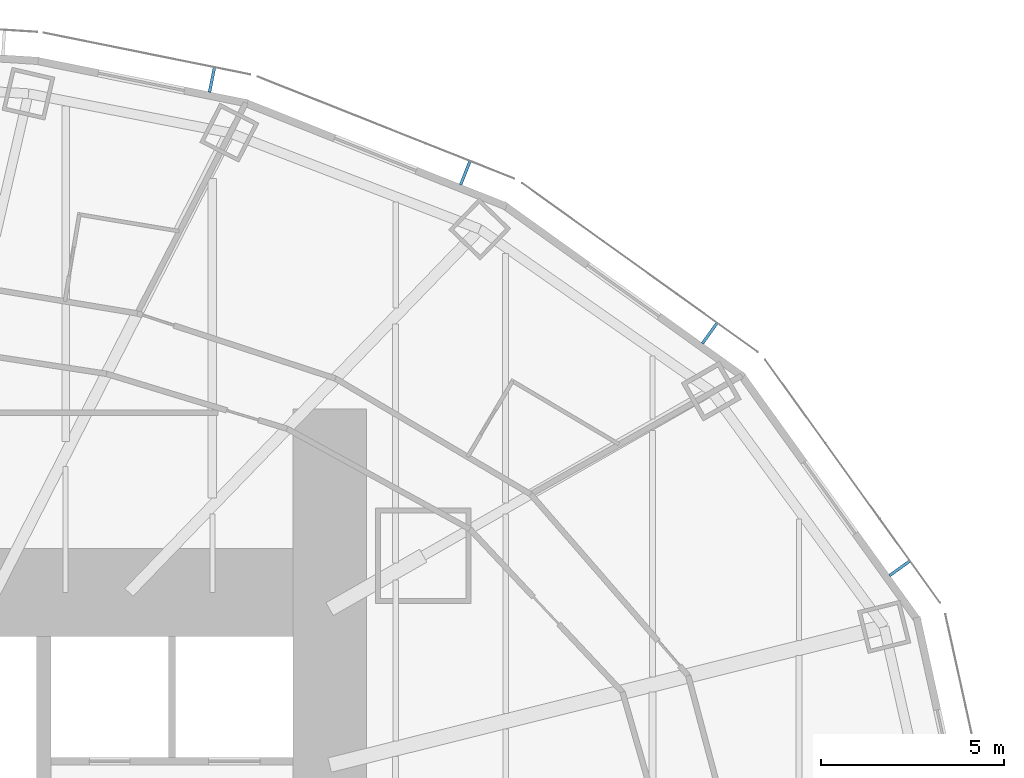
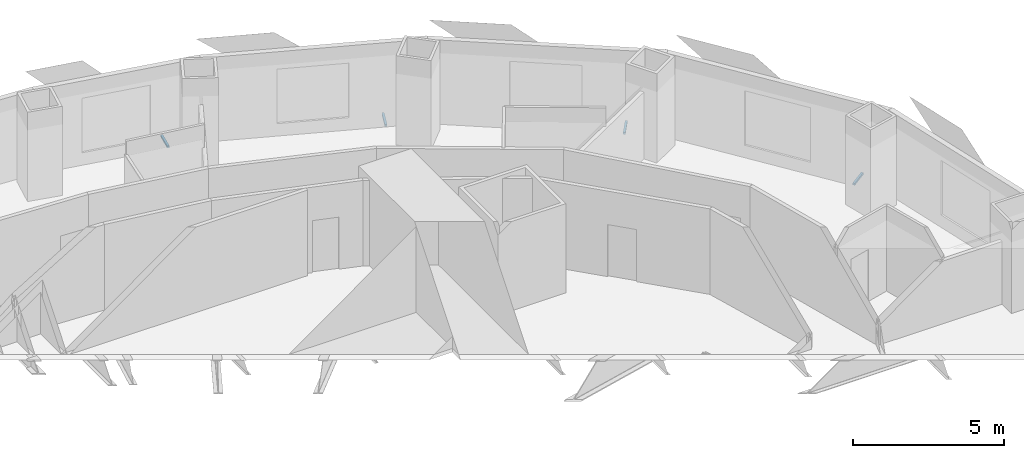
# One storey, part 12 of 15: 4 discrete accessories.
"""IFC4 building model written with IfcOpenShell, lengths in metres."""

from ifc_helpers import new_model, si_unit, direction, frame, origin, origin_2d, place, context, subcontext, project, spatial, rectangle, extrude, element, save


model = new_model("IFC4")

# Units and contexts
model_context = context("Model", 3, precision=1e-05, world=origin(), true_north=direction((0.0, 1.0)))
body_context = subcontext(model_context, "Body", "Model", "MODEL_VIEW")
ifc_project = project(units=[si_unit("LENGTHUNIT", "METRE"), si_unit("AREAUNIT", "SQUARE_METRE"), si_unit("VOLUMEUNIT", "CUBIC_METRE"), si_unit("PLANEANGLEUNIT", "RADIAN"), si_unit("MASSUNIT", "GRAM", prefix="KILO")], contexts=[model_context])

# Site, building, storey
site_placement = place(None, origin())
site = spatial("IfcSite", under=ifc_project, at=site_placement, CompositionType="ELEMENT")
building_placement = place(site_placement, origin())
building = spatial("IfcBuilding", under=site, at=building_placement, Name="Lantaw Convention Tower", CompositionType="ELEMENT")
storey_placement = place(building_placement, frame((0.0, 0.0, 65.800048828125)))
storey = spatial("IfcBuildingStorey", under=building, at=storey_placement, Name="L14", CompositionType="ELEMENT", Elevation=65.800048828125)

# Discrete accessories
for number, where, z_axis, x_axis, name in (
    (1, (28.745849609375, 8.65869140625, -0.114990234375), (0.0, 0.0, 1.0), (-0.583951250436, 0.811788726895, 0.0), "Screen bracket"),
    (2, (23.564453125, 15.06640625, -0.114990234375), (0.0, 0.0, 1.0), (-0.812803733199, 0.5825376308, 0.0), "Screen bracket"),
    (3, (16.898193359375, 19.4345703125, -0.114990234375), (0.0, 0.0, 1.0), (-0.929361152748, 0.369171840425, 0.0), "Screen bracket"),
    (4, (9.990478515625, 21.974365234375, -0.114990234375), (0.0, 0.0, 1.0), (-0.980244604501, 0.197789067813, 0.0), "Screen bracket"),
):
    element("IfcDiscreteAccessory", number, at=place(storey_placement, frame(where, z_axis=z_axis, x_axis=x_axis)), inside=storey, Name=name, PredefinedType="BRACKET", context=body_context, shape_type="SweptSolid", body=[
        extrude(rectangle(XDim=0.080078125, YDim=0.68798828125, at=origin_2d()), origin(), (0.0, 0.0, 1.0), 0.080078125),
    ])

save(model, "model.ifc")
